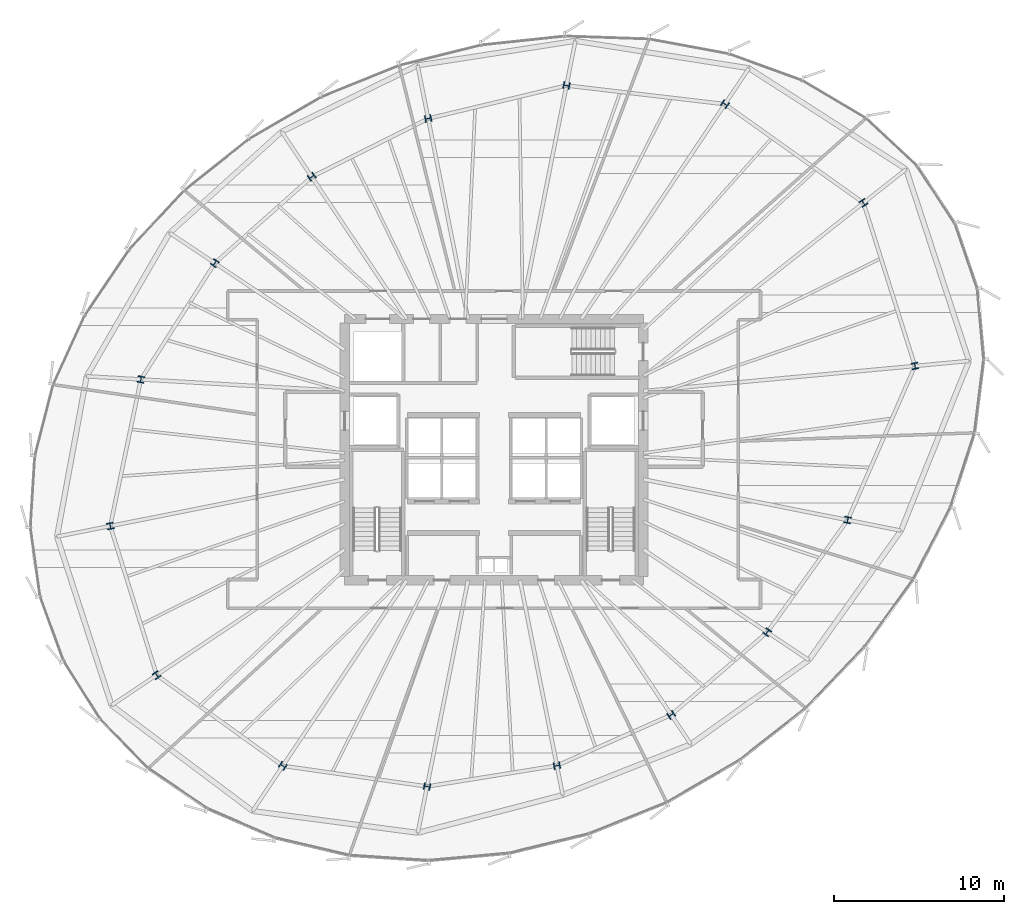
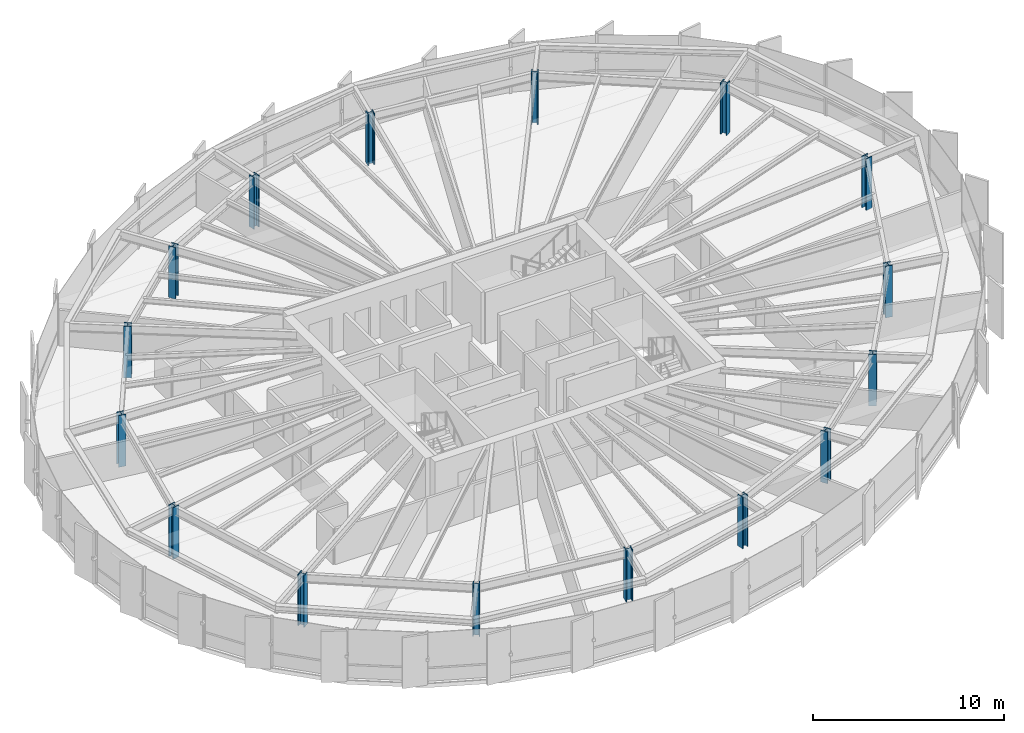
# One storey, part 1 of 35: 16 columns.
"""IFC4 building model written with IfcOpenShell, lengths in metres."""

from ifc_helpers import new_model, si_unit, direction, frame, origin, origin_2d, place, context, subcontext, project, spatial, i_section, extrude, source, transform, mapped, material, material_profile, profile_set, type_object, element, save


model = new_model("IFC4")

# Units and contexts
model_context = context("Model", 3, precision=1e-05, world=origin(), true_north=direction((0.0, 1.0)))
body_context = subcontext(model_context, "Body", "Model", "MODEL_VIEW")
ifc_project = project(units=[si_unit("LENGTHUNIT", "METRE"), si_unit("AREAUNIT", "SQUARE_METRE"), si_unit("VOLUMEUNIT", "CUBIC_METRE"), si_unit("PLANEANGLEUNIT", "RADIAN"), si_unit("MASSUNIT", "GRAM", prefix="KILO"), si_unit("THERMODYNAMICTEMPERATUREUNIT", "KELVIN")], contexts=[model_context])

# Site, building, storey
site_placement = place(None, origin())
site = spatial("IfcSite", under=ifc_project, at=site_placement, CompositionType="ELEMENT")
building_placement = place(site_placement, origin())
building = spatial("IfcBuilding", under=site, at=building_placement, Name="Kethvar Cultural Tower", CompositionType="ELEMENT")
storey_placement = place(building_placement, frame((0.0, 0.0, 139.449951171875)))
storey = spatial("IfcBuildingStorey", under=building, at=storey_placement, Name="L35", CompositionType="ELEMENT", Elevation=139.449951171875)

# Columns
ifc_material = material(Name="Steel S460M", Category="steel")
ifc_material_profile = material_profile(ifc_material, i_section(OverallWidth=0.40087890625, OverallDepth=0.381103515625, WebThickness=0.031982421875, FlangeThickness=0.051025390625, FilletRadius=0.014892578125, at=origin_2d()), Name="Steel S460M — HD400x677")
ifc_profile_set = profile_set([ifc_material_profile], Name="Steel S460M — HD400x677")
column_type = type_object("IfcColumnType", Name="COL-HD677", PredefinedType="COLUMN", material=ifc_profile_set)
shared_shape = source(origin(), body_context, "Body", "SweptSolid", [
    extrude(i_section(OverallWidth=0.40087890625, OverallDepth=0.381103515625, WebThickness=0.031982421875, FlangeThickness=0.051025390625, FilletRadius=0.014892578125, at=origin_2d()), origin(), (0.0, 0.0, 1.0), 3.300048828125),
])
for number, where, z_axis, x_axis, name in (
    (1, (71.6025390625, 32.7333984375, 0.0), (0.0, 0.0, 1.0), (0.980785280403, 0.195090322016, 0.0), "L35 Mega-Column MC-01"),
    (2, (68.568603515625, 42.34521484375, 0.0), (0.0, 0.0, 1.0), (0.831469612303, 0.55557023302, 0.0), "L35 Mega-Column MC-02"),
    (3, (60.40478515625, 48.160888671875, 0.0), (0.0, 0.0, 1.0), (0.55557023302, 0.831469612303, 0.0), "L35 Mega-Column MC-03"),
    (4, (51.068603515625, 49.25927734375, 0.0), (0.0, 0.0, 1.0), (0.195090322016, 0.980785280403, 0.0), "L35 Mega-Column MC-04"),
    (5, (42.9189453125, 47.311279296875, 0.0), (0.0, 0.0, 1.0), (-0.195090322016, 0.980785280403, 0.0), "L35 Mega-Column MC-05"),
    (6, (36.0576171875, 43.877197265625, 0.0), (0.0, 0.0, 1.0), (-0.55557023302, 0.831469612303, 0.0), "L35 Mega-Column MC-06"),
    (7, (30.345947265625, 38.794189453125, 0.0), (0.0, 0.0, 1.0), (-0.831469612303, 0.55557023302, 0.0), "L35 Mega-Column MC-07"),
    (8, (25.988525390625, 31.939697265625, 0.0), (0.0, 0.0, 1.0), (-0.980785280403, 0.195090322016, 0.0), "L35 Mega-Column MC-08"),
    (9, (24.185302734375, 23.3017578125, 0.0), (0.0, 0.0, 1.0), (-0.980785280403, -0.195090322016, 0.0), "L35 Mega-Column MC-09"),
    (10, (26.920654296875, 14.51708984375, 0.0), (0.0, 0.0, 1.0), (-0.831469612303, -0.55557023302, 0.0), "L35 Mega-Column MC-10"),
    (11, (34.350830078125, 9.16845703125, 0.0), (0.0, 0.0, 1.0), (-0.55557023302, -0.831469612303, 0.0), "L35 Mega-Column MC-11"),
    (12, (42.852294921875, 7.95361328125, 0.0), (0.0, 0.0, 1.0), (-0.195090322016, -0.980785280403, 0.0), "L35 Mega-Column MC-12"),
    (13, (50.50341796875, 9.182373046875, 0.0), (0.0, 0.0, 1.0), (0.195090322016, -0.980785280403, 0.0), "L35 Mega-Column MC-13"),
    (14, (57.241943359375, 12.17236328125, 0.0), (0.0, 0.0, 1.0), (0.55557023302, -0.831469612303, 0.0), "L35 Mega-Column MC-14"),
    (15, (62.898681640625, 17.043212890625, 0.0), (0.0, 0.0, 1.0), (0.831469612303, -0.55557023302, 0.0), "L35 Mega-Column MC-15"),
    (16, (67.638671875, 23.65478515625, 0.0), (0.0, 0.0, 1.0), (0.980785280403, -0.195090322016, 0.0), "L35 Mega-Column MC-16"),
):
    element("IfcColumn", number, at=place(storey_placement, frame(where, z_axis=z_axis, x_axis=x_axis)), inside=storey, type_object=column_type, Name=name, PredefinedType="COLUMN", context=body_context, shape_type="MappedRepresentation", body=[
        mapped(shared_shape, transform((0.0, 0.0, 0.0), scale=1.0)),
    ])

save(model, "model.ifc")
